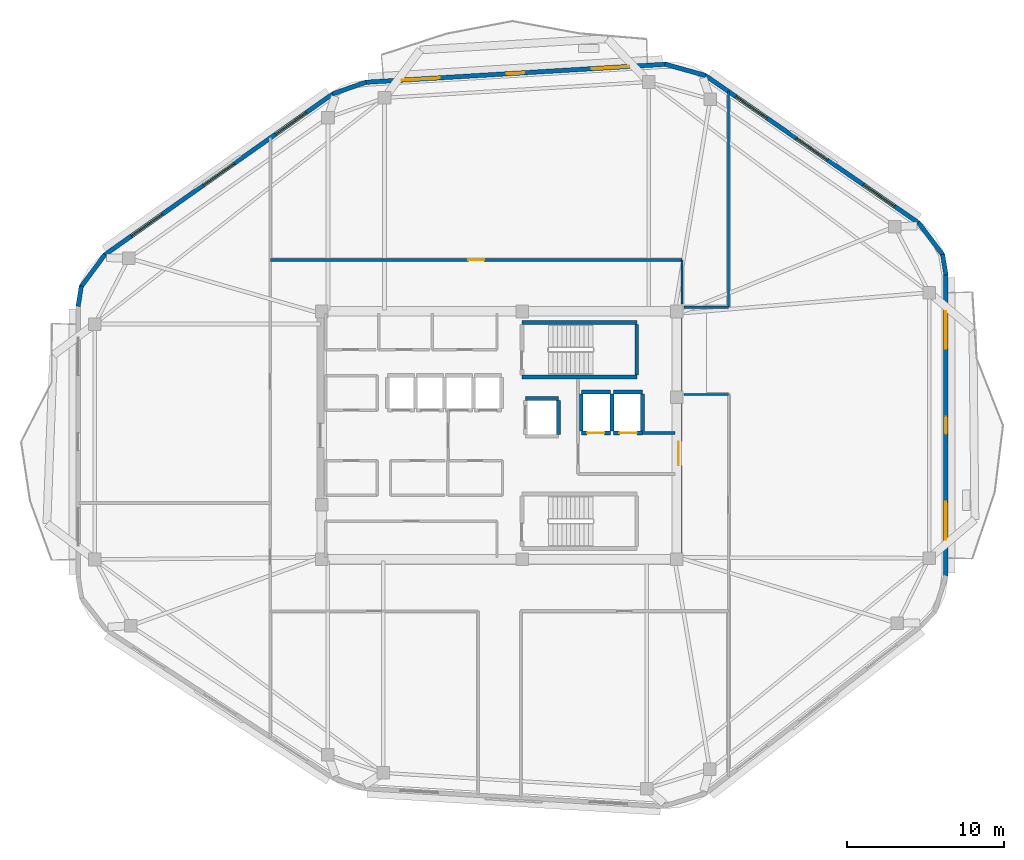
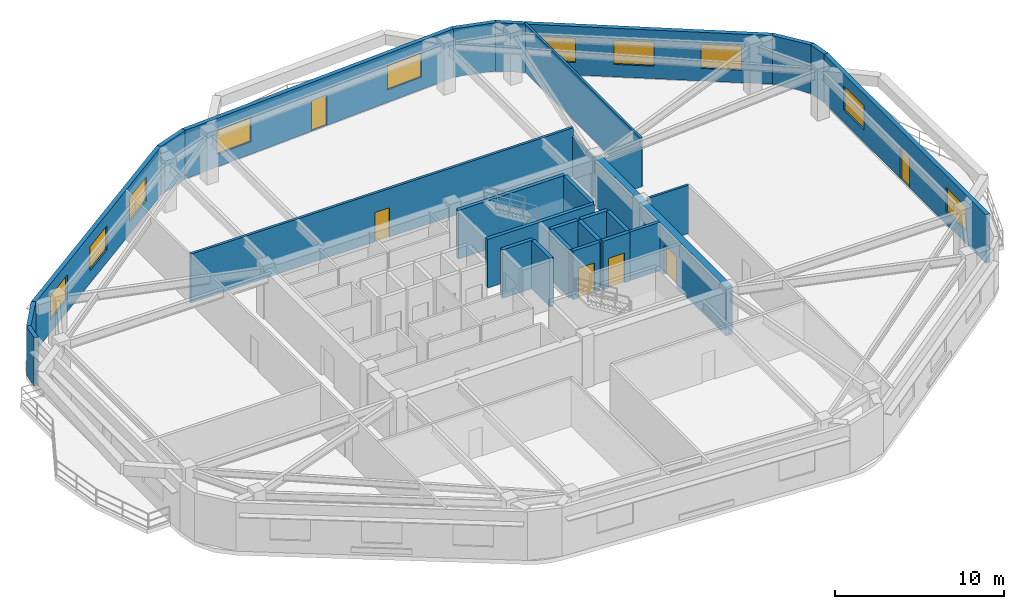
# One storey, part 5 of 9: 29 walls, 10 windows, 6 doors, 16 openings.
"""IFC4 building model written with IfcOpenShell, lengths in metres."""

from ifc_helpers import new_model, si_unit, direction, frame, frame_2d, origin, place, context, subcontext, project, spatial, rectangle, extrude, material, layer, layer_set, type_object, element, fill, save


model = new_model("IFC4")

# Units and contexts
model_context = context("Model", 3, precision=1e-05, world=origin(), true_north=direction((0.0, 1.0)))
body_context = subcontext(model_context, "Body", "Model", "MODEL_VIEW")
ifc_project = project(units=[si_unit("LENGTHUNIT", "METRE"), si_unit("AREAUNIT", "SQUARE_METRE"), si_unit("VOLUMEUNIT", "CUBIC_METRE"), si_unit("PLANEANGLEUNIT", "RADIAN"), si_unit("MASSUNIT", "GRAM", prefix="KILO")], contexts=[model_context])

# Site, building, storey
site_placement = place(None, origin())
site = spatial("IfcSite", under=ifc_project, at=site_placement, CompositionType="ELEMENT")
building_placement = place(site_placement, origin())
building = spatial("IfcBuilding", under=site, at=building_placement, Name="Zulverin Broadcast Headquarters", CompositionType="ELEMENT")
storey_placement = place(building_placement, frame((0.0, 0.0, 244.0)))
storey = spatial("IfcBuildingStorey", under=building, at=storey_placement, Name="L62", CompositionType="ELEMENT", Elevation=244.0)

# Wall, opening, door
ifc_material_1 = material(Name="Concrete C50/60", Category="concrete")
ifc_layer_1 = layer(ifc_material_1, 0.449951171875, Name="Concrete C50/60", Category="concrete")
ifc_layer_set_1 = layer_set([ifc_layer_1], Name="Concrete C50/60")
wall_type_1 = type_object("IfcWallType", Name="WL-CORE-450", PredefinedType="SHEAR", material=ifc_layer_set_1)
wall_1_placement = place(storey_placement, frame((48.375, 17.449951171875, 0.0), z_axis=(0.0, 0.0, 1.0), x_axis=(0.0, 1.0, 0.0)))
wall_1 = element("IfcWall", 1, at=wall_1_placement, inside=storey, type_object=wall_type_1, Name="L62 Core East Shear Wall", PredefinedType="SHEAR", context=body_context, shape_type="SweptSolid", body=[
    extrude(rectangle(XDim=15.5, YDim=0.449951171875, at=frame_2d((7.75, 0.0))), origin(), (0.0, 0.0, 1.0), 3.510009765625),
])
opening_1_placement = place(wall_1_placement, frame((5.85009765625, 0.0, 0.0)))
opening_1 = element("IfcOpeningElement", 2, at=opening_1_placement, cuts=wall_1, Name="Opening D-L62-CE1", PredefinedType="OPENING", context=body_context, shape_type="SweptSolid", body=[
    extrude(rectangle(XDim=1.5, YDim=2.14990234375, at=frame_2d((0.75, 1.074951171875))), frame((0.0, 0.23486328125, 0.0), z_axis=(0.0, -1.0, 0.0), x_axis=(1.0, 0.0, 0.0)), (0.0, 0.0, 1.0), 0.469970703125),
])
ifc_material_2 = material(Name="Fire-rated glazed steel frame", Category="steel")
door_type_1 = type_object("IfcDoorType", Name="DR-COR-1500", OperationType="DOUBLE_DOOR_SINGLE_SWING", PredefinedType="DOOR", material=ifc_material_2)
door_1_placement = place(opening_1_placement, origin())
door_1 = element("IfcDoor", 3, at=door_1_placement, inside=storey, type_object=door_type_1, Name="L62 Firefighting Lobby East Corridor Door", OperationType="DOUBLE_DOOR_SINGLE_SWING", OverallHeight=2.14990234375, OverallWidth=1.5, PredefinedType="DOOR", context=body_context, shape_type="SweptSolid", body=[
    extrude(rectangle(XDim=1.5, YDim=2.14990234375, at=frame_2d((0.75, 1.074951171875))), frame((0.0, 0.02490234375, 0.0), z_axis=(0.0, -1.0, 0.0), x_axis=(1.0, 0.0, 0.0)), (0.0, 0.0, 1.0), 0.050048828125),
])
fill(opening_1, door_1)

# Wall, openings, door, windows
ifc_material_3 = material(Name="Insulated pale-metal clad concrete spandrel C40/50", Category="concrete")
ifc_layer_2 = layer(ifc_material_3, 0.280029296875, Name="Insulated pale-metal clad concrete spandrel C40/50", Category="concrete")
ifc_layer_set_2 = layer_set([ifc_layer_2], Name="Insulated pale-metal clad concrete spandrel C40/50")
wall_type_2 = type_object("IfcWallType", Name="WL-EXT-280", PredefinedType="STANDARD", material=ifc_layer_set_2)
wall_2_placement = place(storey_placement, frame((65.360107421875, 16.2578125, 0.0), z_axis=(0.0, 0.0, 1.0), x_axis=(0.0, 1.0, 0.0)))
wall_2 = element("IfcWall", 4, at=wall_2_placement, inside=storey, type_object=wall_type_2, Name="L62 Pale-Metal Clad Spandrel Wall 3", PredefinedType="STANDARD", context=body_context, shape_type="SweptSolid", body=[
    extrude(rectangle(XDim=19.16796875, YDim=0.280029296875, at=frame_2d((9.583984375, 0.0))), origin(), (0.0, 0.0, 1.0), 3.510009765625),
])
opening_2_placement = place(wall_2_placement, frame((9.033935546875, 0.0, 0.0)))
opening_2 = element("IfcOpeningElement", 5, at=opening_2_placement, cuts=wall_2, Name="Opening D-L62-TR3", PredefinedType="OPENING", context=body_context, shape_type="SweptSolid", body=[
    extrude(rectangle(XDim=1.10009765625, YDim=2.199951171875, at=frame_2d((0.550048828125, 1.10009765625))), frame((0.0, 0.14990234375, 0.0), z_axis=(0.0, -1.0, 0.0), x_axis=(1.0, 0.0, 0.0)), (0.0, 0.0, 1.0), 0.300048828125),
])
opening_3_placement = place(wall_2_placement, frame((2.327880859375, 0.0, 0.89990234375)))
opening_3 = element("IfcOpeningElement", 6, at=opening_3_placement, cuts=wall_2, Name="Opening W-L62-E31", PredefinedType="OPENING", context=body_context, shape_type="SweptSolid", body=[
    extrude(rectangle(XDim=2.39990234375, YDim=1.75, at=frame_2d((1.199951171875, 0.875))), frame((0.0, 0.14990234375, 0.0), z_axis=(0.0, -1.0, 0.0), x_axis=(1.0, 0.0, 0.0)), (0.0, 0.0, 1.0), 0.300048828125),
])
opening_4_placement = place(wall_2_placement, frame((14.43994140625, 0.0, 0.89990234375)))
opening_4 = element("IfcOpeningElement", 7, at=opening_4_placement, cuts=wall_2, Name="Opening W-L62-E32", PredefinedType="OPENING", context=body_context, shape_type="SweptSolid", body=[
    extrude(rectangle(XDim=2.39990234375, YDim=1.75, at=frame_2d((1.199951171875, 0.875))), frame((0.0, 0.14990234375, 0.0), z_axis=(0.0, -1.0, 0.0), x_axis=(1.0, 0.0, 0.0)), (0.0, 0.0, 1.0), 0.300048828125),
])
ifc_material_4 = material(Name="Thermally broken aluminium glazed", Category="aluminium")
door_type_2 = type_object("IfcDoorType", Name="DR-TERR-1100", OperationType="SINGLE_SWING_RIGHT", PredefinedType="DOOR", material=ifc_material_4)
door_2_placement = place(opening_2_placement, origin())
door_2 = element("IfcDoor", 8, at=door_2_placement, inside=storey, type_object=door_type_2, Name="L62 Planted Terrace Glazed Access Door 3", OperationType="SINGLE_SWING_RIGHT", OverallHeight=2.199951171875, OverallWidth=1.10009765625, PredefinedType="DOOR", context=body_context, shape_type="SweptSolid", body=[
    extrude(rectangle(XDim=1.10009765625, YDim=2.199951171875, at=frame_2d((0.550048828125, 1.10009765625))), frame((0.0, 0.02490234375, 0.0), z_axis=(0.0, -1.0, 0.0), x_axis=(1.0, 0.0, 0.0)), (0.0, 0.0, 1.0), 0.050048828125),
])
fill(opening_2, door_2)
ifc_material_5 = material(Name="Pale anodized aluminium frame with solar-control low-E double glazing", Category="aluminium")
window_type = type_object("IfcWindowType", Name="WIN-RIB-2400", PartitioningType="SINGLE_PANEL", PredefinedType="WINDOW", material=ifc_material_5)
window_1_placement = place(opening_3_placement, origin())
window_1 = element("IfcWindow", 9, at=window_1_placement, inside=storey, type_object=window_type, Name="L62 Ribbon Glazing Window 3 1", OverallHeight=1.75, OverallWidth=2.39990234375, PartitioningType="SINGLE_PANEL", PredefinedType="WINDOW", context=body_context, shape_type="SweptSolid", body=[
    extrude(rectangle(XDim=2.39990234375, YDim=1.75, at=frame_2d((1.199951171875, 0.875))), frame((0.0, 0.030029296875, 0.0), z_axis=(0.0, -1.0, 0.0), x_axis=(1.0, 0.0, 0.0)), (0.0, 0.0, 1.0), 0.06005859375),
])
fill(opening_3, window_1)
window_2_placement = place(opening_4_placement, origin())
window_2 = element("IfcWindow", 10, at=window_2_placement, inside=storey, type_object=window_type, Name="L62 Ribbon Glazing Window 3 2", OverallHeight=1.75, OverallWidth=2.39990234375, PartitioningType="SINGLE_PANEL", PredefinedType="WINDOW", context=body_context, shape_type="SweptSolid", body=[
    extrude(rectangle(XDim=2.39990234375, YDim=1.75, at=frame_2d((1.199951171875, 0.875))), frame((0.0, 0.030029296875, 0.0), z_axis=(0.0, -1.0, 0.0), x_axis=(1.0, 0.0, 0.0)), (0.0, 0.0, 1.0), 0.06005859375),
])
fill(opening_4, window_2)

# Wall, openings, windows
wall_3_placement = place(storey_placement, frame((63.6513671875, 38.683349609375, 0.0), z_axis=(0.0, 0.0, 1.0), x_axis=(-0.822655095, 0.568540759022, 0.0)))
wall_3 = element("IfcWall", 11, at=wall_3_placement, inside=storey, type_object=wall_type_2, Name="L62 Pale-Metal Clad Spandrel Wall 4", PredefinedType="STANDARD", context=body_context, shape_type="SweptSolid", body=[
    extrude(rectangle(XDim=16.52783203125, YDim=0.280029296875, at=frame_2d((8.263916015625, 0.0))), origin(), (0.0, 0.0, 1.0), 3.510009765625),
])
opening_5_placement = place(wall_3_placement, frame((1.887939453125, 0.0, 0.89990234375)))
opening_5 = element("IfcOpeningElement", 12, at=opening_5_placement, cuts=wall_3, Name="Opening W-L62-E41", PredefinedType="OPENING", context=body_context, shape_type="SweptSolid", body=[
    extrude(rectangle(XDim=2.39990234375, YDim=1.75, at=frame_2d((1.199951171875, 0.875))), frame((0.0, 0.14990234375, 0.0), z_axis=(0.0, -1.0, 0.0), x_axis=(1.0, 0.0, 0.0)), (0.0, 0.0, 1.0), 0.300048828125),
])
opening_6_placement = place(wall_3_placement, frame((7.06396484375, 0.0, 0.89990234375)))
opening_6 = element("IfcOpeningElement", 13, at=opening_6_placement, cuts=wall_3, Name="Opening W-L62-E42", PredefinedType="OPENING", context=body_context, shape_type="SweptSolid", body=[
    extrude(rectangle(XDim=2.39990234375, YDim=1.75, at=frame_2d((1.199951171875, 0.875))), frame((0.0, 0.14990234375, 0.0), z_axis=(0.0, -1.0, 0.0), x_axis=(1.0, 0.0, 0.0)), (0.0, 0.0, 1.0), 0.300048828125),
])
opening_7_placement = place(wall_3_placement, frame((11.739990234375, 0.0, 0.89990234375)))
opening_7 = element("IfcOpeningElement", 14, at=opening_7_placement, cuts=wall_3, Name="Opening W-L62-E43", PredefinedType="OPENING", context=body_context, shape_type="SweptSolid", body=[
    extrude(rectangle(XDim=2.39990234375, YDim=1.75, at=frame_2d((1.199951171875, 0.875))), frame((0.0, 0.14990234375, 0.0), z_axis=(0.0, -1.0, 0.0), x_axis=(1.0, 0.0, 0.0)), (0.0, 0.0, 1.0), 0.300048828125),
])
window_3_placement = place(opening_5_placement, origin())
window_3 = element("IfcWindow", 15, at=window_3_placement, inside=storey, type_object=window_type, Name="L62 Ribbon Glazing Window 4 1", OverallHeight=1.75, OverallWidth=2.39990234375, PartitioningType="SINGLE_PANEL", PredefinedType="WINDOW", context=body_context, shape_type="SweptSolid", body=[
    extrude(rectangle(XDim=2.39990234375, YDim=1.75, at=frame_2d((1.199951171875, 0.875))), frame((0.0, 0.030029296875, 0.0), z_axis=(0.0, -1.0, 0.0), x_axis=(1.0, 0.0, 0.0)), (0.0, 0.0, 1.0), 0.06005859375),
])
fill(opening_5, window_3)
window_4_placement = place(opening_6_placement, origin())
window_4 = element("IfcWindow", 16, at=window_4_placement, inside=storey, type_object=window_type, Name="L62 Ribbon Glazing Window 4 2", OverallHeight=1.75, OverallWidth=2.39990234375, PartitioningType="SINGLE_PANEL", PredefinedType="WINDOW", context=body_context, shape_type="SweptSolid", body=[
    extrude(rectangle(XDim=2.39990234375, YDim=1.75, at=frame_2d((1.199951171875, 0.875))), frame((0.0, 0.030029296875, 0.0), z_axis=(0.0, -1.0, 0.0), x_axis=(1.0, 0.0, 0.0)), (0.0, 0.0, 1.0), 0.06005859375),
])
fill(opening_6, window_4)
window_5_placement = place(opening_7_placement, origin())
window_5 = element("IfcWindow", 17, at=window_5_placement, inside=storey, type_object=window_type, Name="L62 Ribbon Glazing Window 4 3", OverallHeight=1.75, OverallWidth=2.39990234375, PartitioningType="SINGLE_PANEL", PredefinedType="WINDOW", context=body_context, shape_type="SweptSolid", body=[
    extrude(rectangle(XDim=2.39990234375, YDim=1.75, at=frame_2d((1.199951171875, 0.875))), frame((0.0, 0.030029296875, 0.0), z_axis=(0.0, -1.0, 0.0), x_axis=(1.0, 0.0, 0.0)), (0.0, 0.0, 1.0), 0.06005859375),
])
fill(opening_7, window_5)

# Wall, openings, door, windows
wall_4_placement = place(storey_placement, frame((47.56591796875, 48.775390625, 0.0), z_axis=(0.0, 0.0, 1.0), x_axis=(-0.998202767485, -0.059926913695, 0.0)))
wall_4 = element("IfcWall", 18, at=wall_4_placement, inside=storey, type_object=wall_type_2, Name="L62 Pale-Metal Clad Spandrel Wall 5", PredefinedType="STANDARD", context=body_context, shape_type="SweptSolid", body=[
    extrude(rectangle(XDim=19.111083984375, YDim=0.280029296875, at=frame_2d((9.5556640625, 0.0))), origin(), (0.0, 0.0, 1.0), 3.510009765625),
])
opening_8_placement = place(wall_4_placement, frame((9.00537109375, 0.0, 0.0)))
opening_8 = element("IfcOpeningElement", 19, at=opening_8_placement, cuts=wall_4, Name="Opening D-L62-TR5", PredefinedType="OPENING", context=body_context, shape_type="SweptSolid", body=[
    extrude(rectangle(XDim=1.10009765625, YDim=2.199951171875, at=frame_2d((0.550048828125, 1.10009765625))), frame((0.0, 0.14990234375, 0.0), z_axis=(0.0, -1.0, 0.0), x_axis=(1.0, 0.0, 0.0)), (0.0, 0.0, 1.0), 0.300048828125),
])
opening_9_placement = place(wall_4_placement, frame((2.318603515625, 0.0, 0.89990234375)))
opening_9 = element("IfcOpeningElement", 20, at=opening_9_placement, cuts=wall_4, Name="Opening W-L62-E51", PredefinedType="OPENING", context=body_context, shape_type="SweptSolid", body=[
    extrude(rectangle(XDim=2.39990234375, YDim=1.75, at=frame_2d((1.199951171875, 0.875))), frame((0.0, 0.14990234375, 0.0), z_axis=(0.0, -1.0, 0.0), x_axis=(1.0, 0.0, 0.0)), (0.0, 0.0, 1.0), 0.300048828125),
])
opening_10_placement = place(wall_4_placement, frame((14.392333984375, 0.0, 0.89990234375)))
opening_10 = element("IfcOpeningElement", 21, at=opening_10_placement, cuts=wall_4, Name="Opening W-L62-E52", PredefinedType="OPENING", context=body_context, shape_type="SweptSolid", body=[
    extrude(rectangle(XDim=2.39990234375, YDim=1.75, at=frame_2d((1.199951171875, 0.875))), frame((0.0, 0.14990234375, 0.0), z_axis=(0.0, -1.0, 0.0), x_axis=(1.0, 0.0, 0.0)), (0.0, 0.0, 1.0), 0.300048828125),
])
door_3_placement = place(opening_8_placement, origin())
door_3 = element("IfcDoor", 22, at=door_3_placement, inside=storey, type_object=door_type_2, Name="L62 Planted Terrace Glazed Access Door 5", OperationType="SINGLE_SWING_RIGHT", OverallHeight=2.199951171875, OverallWidth=1.10009765625, PredefinedType="DOOR", context=body_context, shape_type="SweptSolid", body=[
    extrude(rectangle(XDim=1.10009765625, YDim=2.199951171875, at=frame_2d((0.550048828125, 1.10009765625))), frame((0.0, 0.02490234375, 0.0), z_axis=(0.0, -1.0, 0.0), x_axis=(1.0, 0.0, 0.0)), (0.0, 0.0, 1.0), 0.050048828125),
])
fill(opening_8, door_3)
window_6_placement = place(opening_9_placement, origin())
window_6 = element("IfcWindow", 23, at=window_6_placement, inside=storey, type_object=window_type, Name="L62 Ribbon Glazing Window 5 1", OverallHeight=1.75, OverallWidth=2.39990234375, PartitioningType="SINGLE_PANEL", PredefinedType="WINDOW", context=body_context, shape_type="SweptSolid", body=[
    extrude(rectangle(XDim=2.39990234375, YDim=1.75, at=frame_2d((1.199951171875, 0.875))), frame((0.0, 0.030029296875, 0.0), z_axis=(0.0, -1.0, 0.0), x_axis=(1.0, 0.0, 0.0)), (0.0, 0.0, 1.0), 0.06005859375),
])
fill(opening_9, window_6)
window_7_placement = place(opening_10_placement, origin())
window_7 = element("IfcWindow", 24, at=window_7_placement, inside=storey, type_object=window_type, Name="L62 Ribbon Glazing Window 5 2", OverallHeight=1.75, OverallWidth=2.39990234375, PartitioningType="SINGLE_PANEL", PredefinedType="WINDOW", context=body_context, shape_type="SweptSolid", body=[
    extrude(rectangle(XDim=2.39990234375, YDim=1.75, at=frame_2d((1.199951171875, 0.875))), frame((0.0, 0.030029296875, 0.0), z_axis=(0.0, -1.0, 0.0), x_axis=(1.0, 0.0, 0.0)), (0.0, 0.0, 1.0), 0.06005859375),
])
fill(opening_10, window_7)

# Wall, openings, windows
wall_5_placement = place(storey_placement, frame((26.443115234375, 46.91259765625, 0.0), z_axis=(0.0, 0.0, 1.0), x_axis=(-0.817024179766, -0.576603407619, 0.0)))
wall_5 = element("IfcWall", 25, at=wall_5_placement, inside=storey, type_object=wall_type_2, Name="L62 Pale-Metal Clad Spandrel Wall 6", PredefinedType="STANDARD", context=body_context, shape_type="SweptSolid", body=[
    extrude(rectangle(XDim=17.77978515625, YDim=0.280029296875, at=frame_2d((8.889892578125, 0.0))), origin(), (0.0, 0.0, 1.0), 3.510009765625),
])
opening_11_placement = place(wall_5_placement, frame((2.0966796875, 0.0, 0.89990234375)))
opening_11 = element("IfcOpeningElement", 26, at=opening_11_placement, cuts=wall_5, Name="Opening W-L62-E61", PredefinedType="OPENING", context=body_context, shape_type="SweptSolid", body=[
    extrude(rectangle(XDim=2.39990234375, YDim=1.75, at=frame_2d((1.199951171875, 0.875))), frame((0.0, 0.14990234375, 0.0), z_axis=(0.0, -1.0, 0.0), x_axis=(1.0, 0.0, 0.0)), (0.0, 0.0, 1.0), 0.300048828125),
])
opening_12_placement = place(wall_5_placement, frame((7.68994140625, 0.0, 0.89990234375)))
opening_12 = element("IfcOpeningElement", 27, at=opening_12_placement, cuts=wall_5, Name="Opening W-L62-E62", PredefinedType="OPENING", context=body_context, shape_type="SweptSolid", body=[
    extrude(rectangle(XDim=2.39990234375, YDim=1.75, at=frame_2d((1.199951171875, 0.875))), frame((0.0, 0.14990234375, 0.0), z_axis=(0.0, -1.0, 0.0), x_axis=(1.0, 0.0, 0.0)), (0.0, 0.0, 1.0), 0.300048828125),
])
opening_13_placement = place(wall_5_placement, frame((13.283203125, 0.0, 0.89990234375)))
opening_13 = element("IfcOpeningElement", 28, at=opening_13_placement, cuts=wall_5, Name="Opening W-L62-E63", PredefinedType="OPENING", context=body_context, shape_type="SweptSolid", body=[
    extrude(rectangle(XDim=2.39990234375, YDim=1.75, at=frame_2d((1.199951171875, 0.875))), frame((0.0, 0.14990234375, 0.0), z_axis=(0.0, -1.0, 0.0), x_axis=(1.0, 0.0, 0.0)), (0.0, 0.0, 1.0), 0.300048828125),
])
window_8_placement = place(opening_11_placement, origin())
window_8 = element("IfcWindow", 29, at=window_8_placement, inside=storey, type_object=window_type, Name="L62 Ribbon Glazing Window 6 1", OverallHeight=1.75, OverallWidth=2.39990234375, PartitioningType="SINGLE_PANEL", PredefinedType="WINDOW", context=body_context, shape_type="SweptSolid", body=[
    extrude(rectangle(XDim=2.39990234375, YDim=1.75, at=frame_2d((1.199951171875, 0.875))), frame((0.0, 0.030029296875, 0.0), z_axis=(0.0, -1.0, 0.0), x_axis=(1.0, 0.0, 0.0)), (0.0, 0.0, 1.0), 0.06005859375),
])
fill(opening_11, window_8)
window_9_placement = place(opening_12_placement, origin())
window_9 = element("IfcWindow", 30, at=window_9_placement, inside=storey, type_object=window_type, Name="L62 Ribbon Glazing Window 6 2", OverallHeight=1.75, OverallWidth=2.39990234375, PartitioningType="SINGLE_PANEL", PredefinedType="WINDOW", context=body_context, shape_type="SweptSolid", body=[
    extrude(rectangle(XDim=2.39990234375, YDim=1.75, at=frame_2d((1.199951171875, 0.875))), frame((0.0, 0.030029296875, 0.0), z_axis=(0.0, -1.0, 0.0), x_axis=(1.0, 0.0, 0.0)), (0.0, 0.0, 1.0), 0.06005859375),
])
fill(opening_12, window_9)
window_10_placement = place(opening_13_placement, origin())
window_10 = element("IfcWindow", 31, at=window_10_placement, inside=storey, type_object=window_type, Name="L62 Ribbon Glazing Window 6 3", OverallHeight=1.75, OverallWidth=2.39990234375, PartitioningType="SINGLE_PANEL", PredefinedType="WINDOW", context=body_context, shape_type="SweptSolid", body=[
    extrude(rectangle(XDim=2.39990234375, YDim=1.75, at=frame_2d((1.199951171875, 0.875))), frame((0.0, 0.030029296875, 0.0), z_axis=(0.0, -1.0, 0.0), x_axis=(1.0, 0.0, 0.0)), (0.0, 0.0, 1.0), 0.06005859375),
])
fill(opening_13, window_10)

# Walls
wall_6_placement = place(storey_placement, frame((65.36181640625, 35.4033203125, 0.0), z_axis=(0.0, 0.0, 1.0), x_axis=(-0.160271674114, 0.987072940809, 0.0)))
element("IfcWall", 32, at=wall_6_placement, inside=storey, type_object=wall_type_2, Name="L62 Wind-Shaped Corner Spandrel Wall 3-1", PredefinedType="STANDARD", context=body_context, shape_type="SweptSolid", body=[
    extrude(rectangle(XDim=1.314697265625, YDim=0.280029296875, at=frame_2d((0.6572265625, 0.0))), origin(), (0.0, 0.0, 1.0), 3.510009765625),
])
wall_7_placement = place(storey_placement, frame((65.17724609375, 36.63916015625, 0.0), z_axis=(0.0, 0.0, 1.0), x_axis=(-0.600436386467, 0.799672524104, 0.0)))
element("IfcWall", 33, at=wall_7_placement, inside=storey, type_object=wall_type_2, Name="L62 Wind-Shaped Corner Spandrel Wall 3-2", PredefinedType="STANDARD", context=body_context, shape_type="SweptSolid", body=[
    extrude(rectangle(XDim=2.595458984375, YDim=0.280029296875, at=frame_2d((1.2978515625, 0.0))), origin(), (0.0, 0.0, 1.0), 3.510009765625),
])
wall_8_placement = place(storey_placement, frame((50.096435546875, 48.060546875, 0.0), z_axis=(0.0, 0.0, 1.0), x_axis=(-0.963108887091, 0.269112005688, 0.0)))
element("IfcWall", 34, at=wall_8_placement, inside=storey, type_object=wall_type_2, Name="L62 Wind-Shaped Corner Spandrel Wall 4-1", PredefinedType="STANDARD", context=body_context, shape_type="SweptSolid", body=[
    extrude(rectangle(XDim=2.67529296875, YDim=0.280029296875, at=frame_2d((1.337646484375, 0.0))), origin(), (0.0, 0.0, 1.0), 3.510009765625),
])
wall_9_placement = place(storey_placement, frame((28.527099609375, 47.6376953125, 0.0), z_axis=(0.0, 0.0, 1.0), x_axis=(-0.943686979207, -0.330839667022, 0.0)))
element("IfcWall", 35, at=wall_9_placement, inside=storey, type_object=wall_type_2, Name="L62 Wind-Shaped Corner Spandrel Wall 5-1", PredefinedType="STANDARD", context=body_context, shape_type="SweptSolid", body=[
    extrude(rectangle(XDim=2.244873046875, YDim=0.280029296875, at=frame_2d((1.12255859375, 0.0))), origin(), (0.0, 0.0, 1.0), 3.510009765625),
])
wall_10_placement = place(storey_placement, frame((11.948486328125, 36.69189453125, 0.0), z_axis=(0.0, 0.0, 1.0), x_axis=(-0.595170751493, -0.803599263668, 0.0)))
element("IfcWall", 36, at=wall_10_placement, inside=storey, type_object=wall_type_2, Name="L62 Wind-Shaped Corner Spandrel Wall 6-1", PredefinedType="STANDARD", context=body_context, shape_type="SweptSolid", body=[
    extrude(rectangle(XDim=2.56982421875, YDim=0.280029296875, at=frame_2d((1.284912109375, 0.0))), origin(), (0.0, 0.0, 1.0), 3.510009765625),
])
wall_11_placement = place(storey_placement, frame((10.444580078125, 34.68798828125, 0.0), z_axis=(0.0, 0.0, 1.0), x_axis=(-0.158524605336, -0.987355027081, 0.0)))
element("IfcWall", 37, at=wall_11_placement, inside=storey, type_object=wall_type_2, Name="L62 Wind-Shaped Corner Spandrel Wall 6-2", PredefinedType="STANDARD", context=body_context, shape_type="SweptSolid", body=[
    extrude(rectangle(XDim=1.30126953125, YDim=0.280029296875, at=frame_2d((0.650634765625, 0.0))), origin(), (0.0, 0.0, 1.0), 3.510009765625),
])
ifc_material_6 = material(Name="Concrete C40/50", Category="concrete")
ifc_layer_3 = layer(ifc_material_6, 0.199951171875, Name="Concrete C40/50", Category="concrete")
ifc_layer_set_3 = layer_set([ifc_layer_3], Name="Concrete C40/50")
wall_type_3 = type_object("IfcWallType", Name="WL-FFL-200", PredefinedType="SOLIDWALL", material=ifc_layer_set_3)
wall_12_placement = place(storey_placement, frame((46.10009765625, 25.35009765625, 0.0), z_axis=(0.0, 0.0, 1.0), x_axis=(1.0, 0.0, 0.0)))
element("IfcWall", 38, at=wall_12_placement, inside=storey, type_object=wall_type_3, Name="L62 Firefighting Lift Lobby North Wall", PredefinedType="SOLIDWALL", context=body_context, shape_type="SweptSolid", body=[
    extrude(rectangle(XDim=2.0498046875, YDim=0.199951171875, at=frame_2d((1.02490234375, 0.0))), origin(), (0.0, 0.0, 1.0), 3.510009765625),
])
ifc_material_7 = material(Name="Fire-rated gypsum stud partition", Category="gypsum")
ifc_layer_4 = layer(ifc_material_7, 0.14990234375, Name="Fire-rated gypsum stud partition", Category="gypsum")
ifc_layer_set_4 = layer_set([ifc_layer_4], Name="Fire-rated gypsum stud partition")
wall_type_4 = type_object("IfcWallType", Name="WL-PART-150", PredefinedType="PARTITIONING", material=ifc_layer_set_4)
wall_13_placement = place(storey_placement, frame((51.550048828125, 33.35009765625, 0.0), z_axis=(0.0, 0.0, 1.0), x_axis=(0.0, 1.0, 0.0)))
element("IfcWall", 39, at=wall_13_placement, inside=storey, type_object=wall_type_4, Name="L62 Room Partition Wall RP-02", PredefinedType="PARTITIONING", context=body_context, shape_type="SweptSolid", body=[
    extrude(rectangle(XDim=13.726806640625, YDim=0.14990234375, at=frame_2d((6.86328125, 0.0))), origin(), (0.0, 0.0, 1.0), 3.510009765625),
])
wall_14_placement = place(storey_placement, frame((48.60009765625, 33.5400390625, 0.0), z_axis=(0.0, 0.0, 1.0), x_axis=(0.0, 1.0, 0.0)))
element("IfcWall", 40, at=wall_14_placement, inside=storey, type_object=wall_type_4, Name="L62 Gallery Partition Wall CG-03", PredefinedType="PARTITIONING", context=body_context, shape_type="SweptSolid", body=[
    extrude(rectangle(XDim=2.81005859375, YDim=0.14990234375, at=frame_2d((1.405029296875, 0.0))), origin(), (0.0, 0.0, 1.0), 2.892822265625),
])
wall_15_placement = place(storey_placement, frame((48.739990234375, 27.800048828125, 0.0), z_axis=(0.0, 0.0, 1.0), x_axis=(1.0, 0.0, 0.0)))
element("IfcWall", 41, at=wall_15_placement, inside=storey, type_object=wall_type_4, Name="L62 Gallery Partition Wall CG-10", PredefinedType="PARTITIONING", context=body_context, shape_type="SweptSolid", body=[
    extrude(rectangle(XDim=2.81005859375, YDim=0.14990234375, at=frame_2d((1.405029296875, 0.0))), origin(), (0.0, 0.0, 1.0), 3.510009765625),
])
wall_16_placement = place(storey_placement, frame((48.739990234375, 33.35009765625, 0.0), z_axis=(0.0, 0.0, 1.0), x_axis=(1.0, 0.0, 0.0)))
element("IfcWall", 42, at=wall_16_placement, inside=storey, type_object=wall_type_4, Name="L62 Room Partition Wall RP-11", PredefinedType="PARTITIONING", context=body_context, shape_type="SweptSolid", body=[
    extrude(rectangle(XDim=2.81005859375, YDim=0.14990234375, at=frame_2d((1.405029296875, 0.0))), origin(), (0.0, 0.0, 1.0), 2.892822265625),
])

# Wall, opening, door
ifc_material_8 = material(Name="Fire-rated acoustic stud wall", Category="gypsum")
ifc_layer_5 = layer(ifc_material_8, 0.175048828125, Name="Fire-rated acoustic stud wall", Category="gypsum")
ifc_layer_set_5 = layer_set([ifc_layer_5], Name="Fire-rated acoustic stud wall")
wall_type_5 = type_object("IfcWallType", Name="WL-PART-175", PredefinedType="PARTITIONING", material=ifc_layer_set_5)
wall_17_placement = place(storey_placement, frame((22.449951171875, 36.35009765625, 0.0), z_axis=(0.0, 0.0, 1.0), x_axis=(1.0, 0.0, 0.0)))
wall_17 = element("IfcWall", 43, at=wall_17_placement, inside=storey, type_object=wall_type_5, Name="L62 Gallery Partition Wall CG-12", PredefinedType="PARTITIONING", context=body_context, shape_type="SweptSolid", body=[
    extrude(rectangle(XDim=26.150146484375, YDim=0.175048828125, at=frame_2d((13.0751953125, 0.0))), origin(), (0.0, 0.0, 1.0), 3.510009765625),
])
opening_14_placement = place(wall_17_placement, frame((12.574951171875, 0.0, 0.0)))
opening_14 = element("IfcOpeningElement", 44, at=opening_14_placement, cuts=wall_17, Name="Opening D-L62-01", PredefinedType="OPENING", context=body_context, shape_type="SweptSolid", body=[
    extrude(rectangle(XDim=1.0, YDim=2.1201171875, at=frame_2d((0.5, 1.06005859375))), frame((0.0, 0.097412109375, 0.0), z_axis=(0.0, -1.0, 0.0), x_axis=(1.0, 0.0, 0.0)), (0.0, 0.0, 1.0), 0.195068359375),
])
ifc_material_9 = material(Name="Hardwood veneer acoustic leaf", Category="wood")
door_type_3 = type_object("IfcDoorType", Name="DR-OFF-1000", OperationType="SINGLE_SWING_LEFT", PredefinedType="DOOR", material=ifc_material_9)
door_4_placement = place(opening_14_placement, origin())
door_4 = element("IfcDoor", 45, at=door_4_placement, inside=storey, type_object=door_type_3, Name="L62 Global Broadcast Command Workplace Door", OperationType="SINGLE_SWING_RIGHT", OverallHeight=2.1201171875, OverallWidth=1.0, PredefinedType="DOOR", context=body_context, shape_type="SweptSolid", body=[
    extrude(rectangle(XDim=1.0, YDim=2.1201171875, at=frame_2d((0.5, 1.06005859375))), frame((0.0, 0.02490234375, 0.0), z_axis=(0.0, -1.0, 0.0), x_axis=(1.0, 0.0, 0.0)), (0.0, 0.0, 1.0), 0.050048828125),
])
fill(opening_14, door_4)

# Walls
ifc_layer_6 = layer(ifc_material_1, 0.25, Name="Concrete C50/60", Category="concrete")
ifc_layer_set_6 = layer_set([ifc_layer_6], Name="Concrete C50/60")
wall_type_6 = type_object("IfcWallType", Name="WL-SHAFT-250", PredefinedType="SHEAR", material=ifc_layer_set_6)
for number, where, z_axis, x_axis, name in (
    (46, (38.425048828125, 28.925048828125, 0.0), (0.0, 0.0, 1.0), (1.0, 0.0, 0.0), "L62 ST-1 Enclosure Wall S"),
    (47, (38.425048828125, 32.375, 0.0), (0.0, 0.0, 1.0), (1.0, 0.0, 0.0), "L62 ST-1 Enclosure Wall N"),
):
    element("IfcWall", number, at=place(storey_placement, frame(where, z_axis=z_axis, x_axis=x_axis)), inside=storey, type_object=wall_type_6, Name=name, PredefinedType="SHEAR", context=body_context, shape_type="SweptSolid", body=[
        extrude(rectangle(XDim=7.300048828125, YDim=0.25, at=frame_2d((3.64990234375, 0.0))), origin(), (0.0, 0.0, 1.0), 3.510009765625),
    ])
wall_18_placement = place(storey_placement, frame((45.72509765625, 29.050048828125, 0.0), z_axis=(0.0, 0.0, 1.0), x_axis=(0.0, 1.0, 0.0)))
element("IfcWall", 48, at=wall_18_placement, inside=storey, type_object=wall_type_6, Name="L62 ST-1 Enclosure Wall E", PredefinedType="SHEAR", context=body_context, shape_type="SweptSolid", body=[
    extrude(rectangle(XDim=3.199951171875, YDim=0.25, at=frame_2d((1.60009765625, 0.0))), origin(), (0.0, 0.0, 1.0), 3.510009765625),
])

# Wall, opening, door
wall_19_placement = place(storey_placement, frame((42.199951171875, 25.35009765625, 0.0), z_axis=(0.0, 0.0, 1.0), x_axis=(1.0, 0.0, 0.0)))
wall_19 = element("IfcWall", 49, at=wall_19_placement, inside=storey, type_object=wall_type_6, Name="L62 Lift FFL-1 Shaft Wall S", PredefinedType="SHEAR", context=body_context, shape_type="SweptSolid", body=[
    extrude(rectangle(XDim=1.85009765625, YDim=0.25, at=frame_2d((0.925048828125, 0.0))), origin(), (0.0, 0.0, 1.0), 3.510009765625),
])
opening_15_placement = place(wall_19_placement, frame((0.375, 0.0, 0.0)))
opening_15 = element("IfcOpeningElement", 50, at=opening_15_placement, cuts=wall_19, Name="Opening LD-FFL-1-L62", PredefinedType="OPENING", context=body_context, shape_type="SweptSolid", body=[
    extrude(rectangle(XDim=1.10009765625, YDim=2.14990234375, at=frame_2d((0.550048828125, 1.074951171875))), frame((0.0, 0.135009765625, 0.0), z_axis=(0.0, -1.0, 0.0), x_axis=(1.0, 0.0, 0.0)), (0.0, 0.0, 1.0), 0.27001953125),
])
ifc_material_10 = material(Name="Fire-rated stainless landing door", Category="steel")
door_type_4 = type_object("IfcDoorType", Name="LD-FFL-1100", OperationType="DOUBLE_DOOR_SLIDING", PredefinedType="DOOR", material=ifc_material_10)
door_5_placement = place(opening_15_placement, origin())
door_5 = element("IfcDoor", 51, at=door_5_placement, inside=storey, type_object=door_type_4, Name="L62 Lift FFL-1 Sliding Landing Door", OperationType="DOUBLE_DOOR_SLIDING", OverallHeight=2.14990234375, OverallWidth=1.10009765625, PredefinedType="DOOR", context=body_context, shape_type="SweptSolid", body=[
    extrude(rectangle(XDim=1.10009765625, YDim=2.14990234375, at=frame_2d((0.550048828125, 1.074951171875))), frame((0.0, 0.02490234375, 0.0), z_axis=(0.0, -1.0, 0.0), x_axis=(1.0, 0.0, 0.0)), (0.0, 0.0, 1.0), 0.050048828125),
])
fill(opening_15, door_5)

# Walls
wall_20_placement = place(storey_placement, frame((42.199951171875, 27.949951171875, 0.0), z_axis=(0.0, 0.0, 1.0), x_axis=(1.0, 0.0, 0.0)))
element("IfcWall", 52, at=wall_20_placement, inside=storey, type_object=wall_type_6, Name="L62 Lift FFL-1 Shaft Wall N", PredefinedType="SHEAR", context=body_context, shape_type="SweptSolid", body=[
    extrude(rectangle(XDim=1.85009765625, YDim=0.25, at=frame_2d((0.925048828125, 0.0))), origin(), (0.0, 0.0, 1.0), 3.510009765625),
])
for number, where, z_axis, x_axis, name in (
    (53, (42.199951171875, 25.469970703125, 0.0), (0.0, 0.0, 1.0), (0.0, 1.0, 0.0), "L62 Lift FFL-1 Shaft Wall W"),
    (54, (44.14990234375, 25.469970703125, 0.0), (0.0, 0.0, 1.0), (0.0, 1.0, 0.0), "L62 Lift FFL-1 Shaft Wall E"),
):
    element("IfcWall", number, at=place(storey_placement, frame(where, z_axis=z_axis, x_axis=x_axis)), inside=storey, type_object=wall_type_6, Name=name, PredefinedType="SHEAR", context=body_context, shape_type="SweptSolid", body=[
        extrude(rectangle(XDim=2.360107421875, YDim=0.25, at=frame_2d((1.18017578125, 0.0))), origin(), (0.0, 0.0, 1.0), 3.510009765625),
    ])

# Wall, opening, door
wall_21_placement = place(storey_placement, frame((44.25, 25.35009765625, 0.0), z_axis=(0.0, 0.0, 1.0), x_axis=(1.0, 0.0, 0.0)))
wall_21 = element("IfcWall", 55, at=wall_21_placement, inside=storey, type_object=wall_type_6, Name="L62 Lift FFL-2 Shaft Wall S", PredefinedType="SHEAR", context=body_context, shape_type="SweptSolid", body=[
    extrude(rectangle(XDim=1.85009765625, YDim=0.25, at=frame_2d((0.925048828125, 0.0))), origin(), (0.0, 0.0, 1.0), 3.510009765625),
])
opening_16_placement = place(wall_21_placement, frame((0.375, 0.0, 0.0)))
opening_16 = element("IfcOpeningElement", 56, at=opening_16_placement, cuts=wall_21, Name="Opening LD-FFL-2-L62", PredefinedType="OPENING", context=body_context, shape_type="SweptSolid", body=[
    extrude(rectangle(XDim=1.10009765625, YDim=2.14990234375, at=frame_2d((0.550048828125, 1.074951171875))), frame((0.0, 0.135009765625, 0.0), z_axis=(0.0, -1.0, 0.0), x_axis=(1.0, 0.0, 0.0)), (0.0, 0.0, 1.0), 0.27001953125),
])
door_6_placement = place(opening_16_placement, origin())
door_6 = element("IfcDoor", 57, at=door_6_placement, inside=storey, type_object=door_type_4, Name="L62 Lift FFL-2 Sliding Landing Door", OperationType="DOUBLE_DOOR_SLIDING", OverallHeight=2.14990234375, OverallWidth=1.10009765625, PredefinedType="DOOR", context=body_context, shape_type="SweptSolid", body=[
    extrude(rectangle(XDim=1.10009765625, YDim=2.14990234375, at=frame_2d((0.550048828125, 1.074951171875))), frame((0.0, 0.02490234375, 0.0), z_axis=(0.0, -1.0, 0.0), x_axis=(1.0, 0.0, 0.0)), (0.0, 0.0, 1.0), 0.050048828125),
])
fill(opening_16, door_6)

# Walls
wall_22_placement = place(storey_placement, frame((44.25, 27.949951171875, 0.0), z_axis=(0.0, 0.0, 1.0), x_axis=(1.0, 0.0, 0.0)))
element("IfcWall", 58, at=wall_22_placement, inside=storey, type_object=wall_type_6, Name="L62 Lift FFL-2 Shaft Wall N", PredefinedType="SHEAR", context=body_context, shape_type="SweptSolid", body=[
    extrude(rectangle(XDim=1.85009765625, YDim=0.25, at=frame_2d((0.925048828125, 0.0))), origin(), (0.0, 0.0, 1.0), 3.510009765625),
])
wall_23_placement = place(storey_placement, frame((46.10009765625, 25.469970703125, 0.0), z_axis=(0.0, 0.0, 1.0), x_axis=(0.0, 1.0, 0.0)))
element("IfcWall", 59, at=wall_23_placement, inside=storey, type_object=wall_type_6, Name="L62 Lift FFL-2 Shaft Wall E", PredefinedType="SHEAR", context=body_context, shape_type="SweptSolid", body=[
    extrude(rectangle(XDim=2.360107421875, YDim=0.25, at=frame_2d((1.18017578125, 0.0))), origin(), (0.0, 0.0, 1.0), 3.510009765625),
])
wall_24_placement = place(storey_placement, frame((38.64990234375, 27.550048828125, 0.0), z_axis=(0.0, 0.0, 1.0), x_axis=(1.0, 0.0, 0.0)))
element("IfcWall", 60, at=wall_24_placement, inside=storey, type_object=wall_type_6, Name="L62 Lift SVL-1 Shaft Wall N", PredefinedType="SHEAR", context=body_context, shape_type="SweptSolid", body=[
    extrude(rectangle(XDim=2.10009765625, YDim=0.25, at=frame_2d((1.050048828125, 0.0))), origin(), (0.0, 0.0, 1.0), 3.510009765625),
])
wall_25_placement = place(storey_placement, frame((40.75, 25.27001953125, 0.0), z_axis=(0.0, 0.0, 1.0), x_axis=(0.0, 1.0, 0.0)))
element("IfcWall", 61, at=wall_25_placement, inside=storey, type_object=wall_type_6, Name="L62 Lift SVL-1 Shaft Wall E", PredefinedType="SHEAR", context=body_context, shape_type="SweptSolid", body=[
    extrude(rectangle(XDim=2.159912109375, YDim=0.25, at=frame_2d((1.080078125, 0.0))), origin(), (0.0, 0.0, 1.0), 3.510009765625),
])

save(model, "model.ifc")
